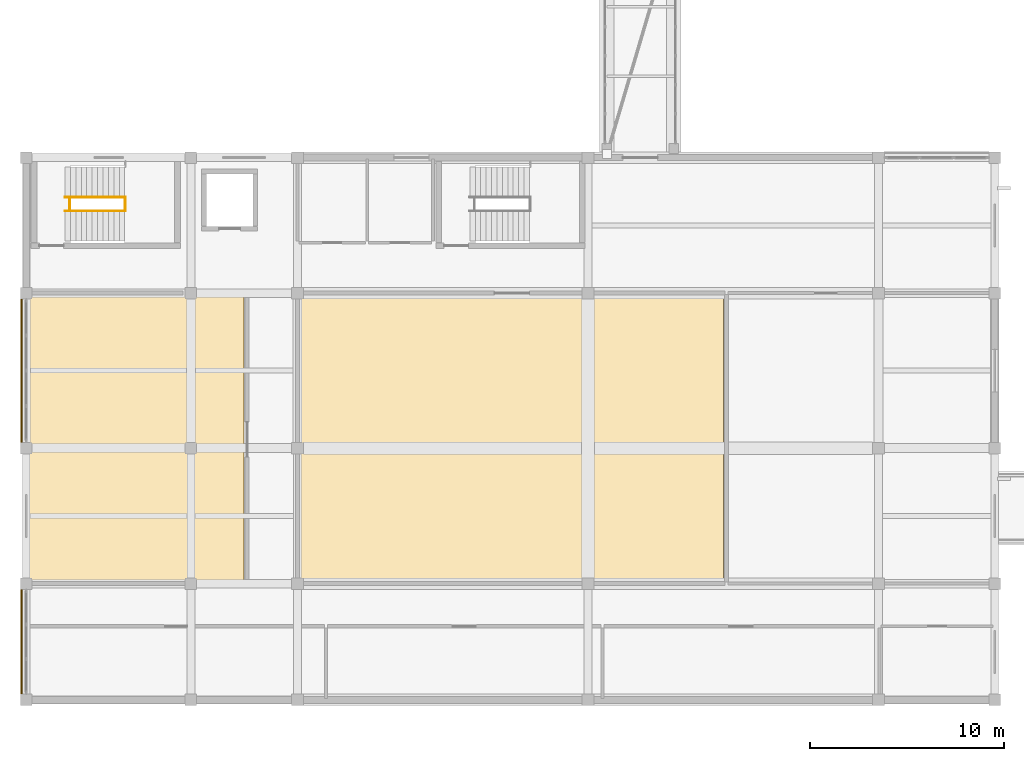
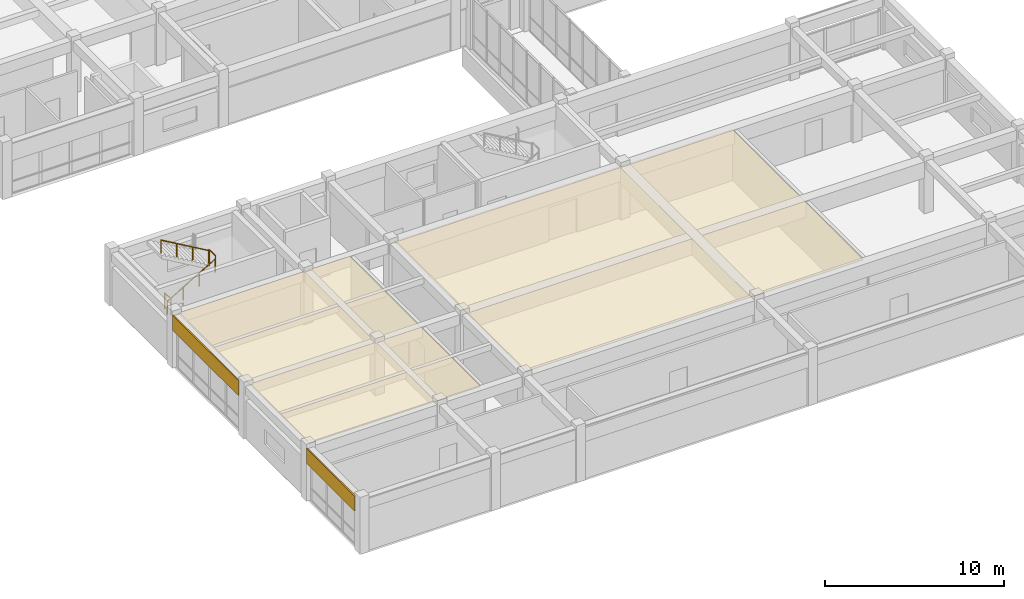
# One storey, part 57 of 66: 4 coverings, 4 railings.
"""IFC4 building model written with IfcOpenShell, lengths in metres."""

from ifc_helpers import new_model, si_unit, direction, frame, origin, origin_2d, place, context, subcontext, project, spatial, polyline, rectangle, circle, outline, extrude, material, layer, layer_set, type_object, element, save


model = new_model("IFC4")

# Units and contexts
model_context = context("Model", 3, precision=1e-05, world=origin(), true_north=direction((0.0, 1.0)))
body_context = subcontext(model_context, "Body", "Model", "MODEL_VIEW")
ifc_project = project(units=[si_unit("LENGTHUNIT", "METRE"), si_unit("AREAUNIT", "SQUARE_METRE"), si_unit("VOLUMEUNIT", "CUBIC_METRE"), si_unit("PLANEANGLEUNIT", "RADIAN"), si_unit("MASSUNIT", "GRAM", prefix="KILO")], contexts=[model_context])

# Site, building, storey
site_placement = place(None, origin())
site = spatial("IfcSite", under=ifc_project, at=site_placement, CompositionType="ELEMENT")
building_placement = place(site_placement, origin())
building = spatial("IfcBuilding", under=site, at=building_placement, Name="Naurynzar Civic Courthouse", CompositionType="ELEMENT")
storey_placement = place(building_placement, frame((0.0, 0.0, 14.39990234375)))
storey = spatial("IfcBuildingStorey", under=building, at=storey_placement, Name="L04", CompositionType="ELEMENT", Elevation=14.39990234375)

# Coverings
ifc_material_1 = material(Name="Acoustic Oak Timber Grade A", Category="wood")
ifc_layer_1 = layer(ifc_material_1, 0.044921875)
ifc_layer_set_1 = layer_set([ifc_layer_1], Name="CEIL-ACOUSTIC-OAK-45")
covering_type_1 = type_object("IfcCoveringType", Name="CEIL-ACOUSTIC-OAK-45", PredefinedType="CEILING", material=ifc_layer_set_1)
covering_1_placement = place(storey_placement, frame((0.0, 0.0, 3.51513671875)))
element("IfcCovering", 1, at=covering_1_placement, inside=storey, type_object=covering_type_1, Name="Acoustic suspended ceiling Commercial Arbitration Hearing Courtroom 1", PredefinedType="CEILING", context=body_context, shape_type="SweptSolid", body=[
    extrude(outline(polyline([(17.239990234375, 10.159912109375), (6.159912109375, 10.159912109375), (6.159912109375, 24.840087890625), (17.239990234375, 24.840087890625), (17.239990234375, 10.159912109375)])), origin(), (0.0, 0.0, 1.0), 0.044921875),
])
covering_2_placement = place(storey_placement, frame((0.0, 0.0, 3.51513671875)))
element("IfcCovering", 2, at=covering_2_placement, inside=storey, type_object=covering_type_1, Name="Acoustic suspended ceiling Commercial Arbitration Hearing Courtroom 2", PredefinedType="CEILING", context=body_context, shape_type="SweptSolid", body=[
    extrude(outline(polyline([(41.993896484375, 10.159912109375), (20.159912109375, 10.159912109375), (20.159912109375, 24.840087890625), (41.993896484375, 24.840087890625), (41.993896484375, 10.159912109375)])), origin(), (0.0, 0.0, 1.0), 0.044921875),
])
ifc_material_2 = material(Name="Precast concrete C40/50", Category="concrete")
ifc_layer_2 = layer(ifc_material_2, 0.080078125)
ifc_layer_set_2 = layer_set([ifc_layer_2], Name="COV-CLAD-PRECAST-80")
covering_type_2 = type_object("IfcCoveringType", Name="COV-CLAD-PRECAST-80", PredefinedType="CLADDING", material=ifc_layer_set_2)
covering_3_placement = place(storey_placement, frame((5.7451171875, 7.0, 2.60986328125), z_axis=(0.0, 0.0, 1.0), x_axis=(0.0, 1.0, 0.0)))
element("IfcCovering", 3, at=covering_3_placement, inside=storey, type_object=covering_type_2, Name="V4 precast spandrel cladding 80", PredefinedType="CLADDING", context=body_context, shape_type="SweptSolid", body=[
    extrude(rectangle(XDim=5.39990234375, YDim=0.080078125, at=origin_2d()), origin(), (0.0, 0.0, 1.0), 1.030029296875),
])
covering_4_placement = place(storey_placement, frame((5.7451171875, 21.0, 2.60986328125), z_axis=(0.0, 0.0, 1.0), x_axis=(0.0, 1.0, 0.0)))
element("IfcCovering", 4, at=covering_4_placement, inside=storey, type_object=covering_type_2, Name="V4 precast spandrel cladding 81", PredefinedType="CLADDING", context=body_context, shape_type="SweptSolid", body=[
    extrude(rectangle(XDim=7.39990234375, YDim=0.080078125, at=origin_2d()), origin(), (0.0, 0.0, 1.0), 1.030029296875),
])

# Railings
ifc_material_3 = material(Name="Brushed Stainless Steel 304", Category="steel")
railing_type_1 = type_object("IfcRailingType", Name="RAIL-BAL-1100", PredefinedType="BALUSTRADE", material=ifc_material_3)
for number, where, name in (
    (5, (8.239990234375, 29.239990234375, 0.0), "Stair ST-V4A floor well slot guard L04"),
    (6, (11.1201171875, 29.239990234375, 1.9501953125), "Stair ST-V4A-L04 half-landing well guard"),
):
    element("IfcRailing", number, at=place(storey_placement, frame(where)), inside=storey, type_object=railing_type_1, Name=name, PredefinedType="BALUSTRADE", context=body_context, shape_type="SweptSolid", body=[
        extrude(circle(Radius=0.02392578125, at=origin_2d()), frame((0.0, 0.0, 1.09619140625), z_axis=(0.0, 1.0, 0.0), x_axis=(-1.0, 0.0, 0.0)), (0.0, 0.0, 1.0), 0.719970703125),
        extrude(circle(Radius=0.02099609375, at=origin_2d()), origin(), (0.0, 0.0, 1.0), 1.072021484375),
        extrude(circle(Radius=0.02099609375, at=origin_2d()), frame((0.0, 0.719970703125, 0.0)), (0.0, 0.0, 1.0), 1.072021484375),
    ])
ifc_material_4 = material(Name="Brushed Stainless Steel 304", Category="steel")
railing_type_2 = type_object("IfcRailingType", Name="RAIL-HR-900", PredefinedType="HANDRAIL", material=ifc_material_4)
railing_1_placement = place(storey_placement, frame((8.0, 29.239990234375, 0.16259765625)))
element("IfcRailing", 7, at=railing_1_placement, inside=storey, type_object=railing_type_2, Name="Stair ST-V4A-L04 flight 1 handrail", PredefinedType="HANDRAIL", context=body_context, shape_type="SweptSolid", body=[
    extrude(circle(Radius=0.02392578125, at=origin_2d()), frame((0.0, 0.0, 0.8759765625), z_axis=(0.864890721111, 0.0, 0.501960198159), x_axis=(0.0, 1.0, 0.0)), (0.0, 0.0, 1.0), 3.561279296875),
    extrude(circle(Radius=0.02099609375, at=origin_2d()), origin(), (0.0, 0.0, 1.0), 0.851806640625),
    extrude(circle(Radius=0.02099609375, at=origin_2d()), frame((1.026611328125, 0.0, 0.595947265625)), (0.0, 0.0, 1.0), 0.851806640625),
    extrude(circle(Radius=0.02099609375, at=origin_2d()), frame((2.053466796875, 0.0, 1.191650390625)), (0.0, 0.0, 1.0), 0.851806640625),
    extrude(circle(Radius=0.02099609375, at=origin_2d()), frame((3.080078125, 0.0, 1.78759765625)), (0.0, 0.0, 1.0), 0.851806640625),
])
railing_2_placement = place(storey_placement, frame((11.080078125, 29.9599609375, 2.112548828125)))
element("IfcRailing", 8, at=railing_2_placement, inside=storey, type_object=railing_type_2, Name="Stair ST-V4A-L04 flight 2 handrail", PredefinedType="HANDRAIL", context=body_context, shape_type="SweptSolid", body=[
    extrude(circle(Radius=0.02392578125, at=origin_2d()), frame((0.0, 0.0, 0.8759765625), z_axis=(-0.864890721111, 0.0, 0.501960198159), x_axis=(0.0, -1.0, 0.0)), (0.0, 0.0, 1.0), 3.561279296875),
    extrude(circle(Radius=0.02099609375, at=origin_2d()), origin(), (0.0, 0.0, 1.0), 0.851806640625),
    extrude(circle(Radius=0.02099609375, at=origin_2d()), frame((-1.026611328125, 0.0, 0.595947265625)), (0.0, 0.0, 1.0), 0.851806640625),
    extrude(circle(Radius=0.02099609375, at=origin_2d()), frame((-2.053466796875, 0.0, 1.191650390625)), (0.0, 0.0, 1.0), 0.851806640625),
    extrude(circle(Radius=0.02099609375, at=origin_2d()), frame((-3.080078125, 0.0, 1.78759765625)), (0.0, 0.0, 1.0), 0.851806640625),
])

save(model, "model.ifc")
